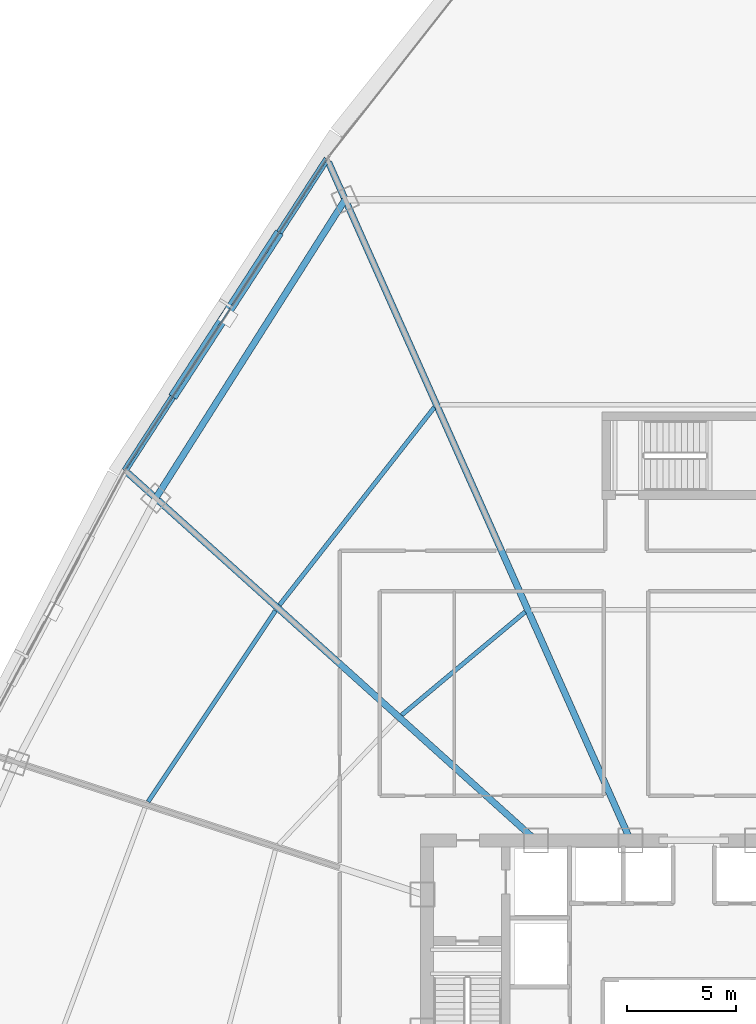
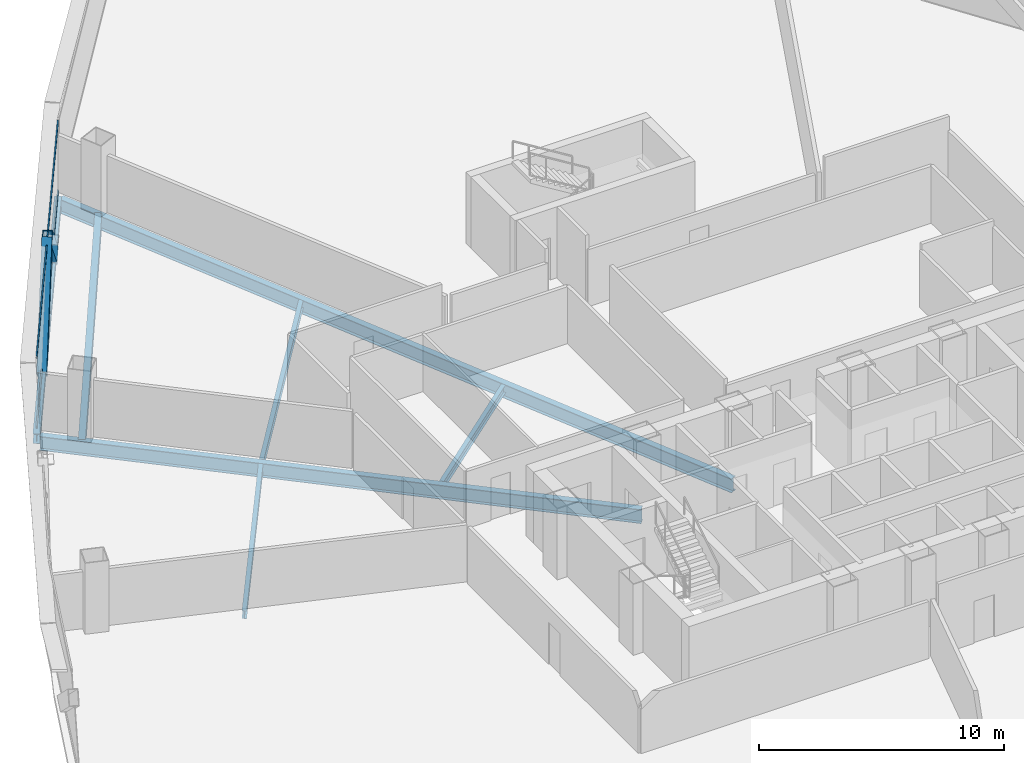
# One storey, part 15 of 39: 7 beams, 4 members, 1 element without a shape of its own.
"""IFC4 building model written with IfcOpenShell, lengths in metres."""

from ifc_helpers import new_model, si_unit, direction, frame, origin, origin_2d, place, context, subcontext, project, spatial, hollow_rectangle, i_section, extrude, source, transform, mapped, material, layer, layer_set, material_profile, profile_set, type_object, element, aggregate, save


model = new_model("IFC4")

# Units and contexts
model_context = context("Model", 3, precision=1e-05, world=origin(), true_north=direction((0.0, 1.0)))
body_context = subcontext(model_context, "Body", "Model", "MODEL_VIEW")
ifc_project = project(units=[si_unit("LENGTHUNIT", "METRE"), si_unit("AREAUNIT", "SQUARE_METRE"), si_unit("VOLUMEUNIT", "CUBIC_METRE"), si_unit("PLANEANGLEUNIT", "RADIAN"), si_unit("MASSUNIT", "GRAM", prefix="KILO"), si_unit("THERMODYNAMICTEMPERATUREUNIT", "KELVIN"), si_unit("POWERUNIT", "WATT")], contexts=[model_context])

# Site, building, storey
site_placement = place(None, origin())
site = spatial("IfcSite", under=ifc_project, at=site_placement, CompositionType="ELEMENT")
building_placement = place(site_placement, origin())
building = spatial("IfcBuilding", under=site, at=building_placement, Name="Yunzhuo Pagoda Commons", CompositionType="ELEMENT")
storey_placement = place(building_placement, frame((0.0, 0.0, 100.179931640625)))
storey = spatial("IfcBuildingStorey", under=building, at=storey_placement, Name="L25", CompositionType="ELEMENT", Elevation=100.179931640625)

# Beams
ifc_material_1 = material(Name="Structural steel Q355B", Category="steel")
ifc_material_profile_1 = material_profile(ifc_material_1, i_section(OverallWidth=0.300048828125, OverallDepth=0.699951171875, WebThickness=0.012939453125, FlangeThickness=0.02392578125, at=origin_2d()), Name="Structural steel Q355B")
ifc_profile_set_1 = profile_set([ifc_material_profile_1], Name="Structural steel Q355B")
beam_type_1 = type_object("IfcBeamType", Name="B-RG1 Beam HN 700x300x13x24", PredefinedType="BEAM", material=ifc_profile_set_1)
shared_shape_1 = source(origin(), body_context, "Body", "SweptSolid", [
    extrude(i_section(OverallWidth=0.300048828125, OverallDepth=0.699951171875, WebThickness=0.012939453125, FlangeThickness=0.02392578125, at=origin_2d()), origin(), (0.0, 0.0, 1.0), 16.16845703125),
])
beam_1_placement = place(storey_placement, frame((32.05859375, 69.505126953125, -0.60986328125), z_axis=(-0.535695673154, -0.844411123662, 0.0), x_axis=(0.844411123662, -0.535695673154, 0.0)))
element("IfcBeam", 1, at=beam_1_placement, inside=storey, type_object=beam_type_1, Name="L25 column-ring beam 9", PredefinedType="BEAM", context=body_context, shape_type="MappedRepresentation", body=[
    mapped(shared_shape_1, transform((0.0, 0.0, 0.0), scale=1.0)),
])
ifc_material_profile_2 = material_profile(ifc_material_1, i_section(OverallWidth=0.199951171875, OverallDepth=0.39990234375, WebThickness=0.008056640625, FlangeThickness=0.012939453125, at=origin_2d()), Name="Structural steel Q355B")
ifc_profile_set_2 = profile_set([ifc_material_profile_2], Name="Structural steel Q355B")
beam_type_2 = type_object("IfcBeamType", Name="B-JS1 Joist HN 400x200x8x13", PredefinedType="JOIST", material=ifc_profile_set_2)
shared_shape_2 = source(origin(), body_context, "Body", "SweptSolid", [
    extrude(i_section(OverallWidth=0.199951171875, OverallDepth=0.39990234375, WebThickness=0.008056640625, FlangeThickness=0.012939453125, at=origin_2d()), origin(), (0.0, 0.0, 1.0), 10.50537109375),
])
beam_2_placement = place(storey_placement, frame((28.871826171875, 50.711181640625, -0.4599609375), z_axis=(-0.554523204193, -0.832168261839, 0.0), x_axis=(0.832168261839, -0.554523204193, 0.0)))
element("IfcBeam", 2, at=beam_2_placement, inside=storey, type_object=beam_type_2, Name="L25 composite ring joist 2.10", PredefinedType="JOIST", context=body_context, shape_type="MappedRepresentation", body=[
    mapped(shared_shape_2, transform((0.0, 0.0, 0.0), scale=1.0)),
])
shared_shape_3 = source(origin(), body_context, "Body", "SweptSolid", [
    extrude(i_section(OverallWidth=0.199951171875, OverallDepth=0.39990234375, WebThickness=0.008056640625, FlangeThickness=0.012939453125, at=origin_2d()), origin(), (0.0, 0.0, 1.0), 7.35009765625),
])
beam_3_placement = place(storey_placement, frame((40.286865234375, 50.64794921875, -0.4599609375), z_axis=(-0.767561992249, -0.640974717173, 0.0), x_axis=(0.640974717173, -0.767561992249, 0.0)))
element("IfcBeam", 3, at=beam_3_placement, inside=storey, type_object=beam_type_2, Name="L25 composite ring joist 1.9", PredefinedType="JOIST", context=body_context, shape_type="MappedRepresentation", body=[
    mapped(shared_shape_3, transform((0.0, 0.0, 0.0), scale=1.0)),
])
shared_shape_4 = source(origin(), body_context, "Body", "SweptSolid", [
    extrude(i_section(OverallWidth=0.199951171875, OverallDepth=0.39990234375, WebThickness=0.008056640625, FlangeThickness=0.012939453125, at=origin_2d()), origin(), (0.0, 0.0, 1.0), 11.4755859375),
])
beam_4_placement = place(storey_placement, frame((36.135498046875, 60.002197265625, -0.4599609375), z_axis=(-0.616713174055, -0.787187945123, 0.0), x_axis=(0.787187945123, -0.616713174055, 0.0)))
element("IfcBeam", 4, at=beam_4_placement, inside=storey, type_object=beam_type_2, Name="L25 composite ring joist 2.9", PredefinedType="JOIST", context=body_context, shape_type="MappedRepresentation", body=[
    mapped(shared_shape_4, transform((0.0, 0.0, 0.0), scale=1.0)),
])
shared_shape_5 = source(origin(), body_context, "Body", "SweptSolid", [
    extrude(i_section(OverallWidth=0.300048828125, OverallDepth=0.699951171875, WebThickness=0.012939453125, FlangeThickness=0.02392578125, at=origin_2d()), origin(), (0.0, 0.0, 1.0), 25.1318359375),
])
beam_5_placement = place(storey_placement, frame((22.1044921875, 57.016357421875, -0.60986328125), z_axis=(0.743144868879, -0.669130558156, 0.0), x_axis=(0.669130558156, 0.743144868879, 0.0)))
element("IfcBeam", 5, at=beam_5_placement, inside=storey, type_object=beam_type_1, Name="L25 radial floor girder F3C2", PredefinedType="BEAM", context=body_context, shape_type="MappedRepresentation", body=[
    mapped(shared_shape_5, transform((0.0, 0.0, 0.0), scale=1.0)),
])
shared_shape_6 = source(origin(), body_context, "Body", "SweptSolid", [
    extrude(i_section(OverallWidth=0.300048828125, OverallDepth=0.699951171875, WebThickness=0.012939453125, FlangeThickness=0.02392578125, at=origin_2d()), origin(), (0.0, 0.0, 1.0), 33.961181640625),
])
beam_6_placement = place(storey_placement, frame((31.292724609375, 71.22509765625, -0.60986328125), z_axis=(0.406735346576, -0.91354603488, 0.0), x_axis=(0.91354603488, 0.406735346576, 0.0)))
element("IfcBeam", 6, at=beam_6_placement, inside=storey, type_object=beam_type_1, Name="L25 radial floor girder F3C1", PredefinedType="BEAM", context=body_context, shape_type="MappedRepresentation", body=[
    mapped(shared_shape_6, transform((0.0, 0.0, 0.0), scale=1.0)),
])
ifc_material_profile_3 = material_profile(ifc_material_1, i_section(OverallWidth=0.300048828125, OverallDepth=0.488037109375, WebThickness=0.010986328125, FlangeThickness=0.01806640625, at=origin_2d()), Name="Structural steel Q355B")
ifc_profile_set_3 = profile_set([ifc_material_profile_3], Name="Structural steel Q355B")
beam_type_3 = type_object("IfcBeamType", Name="B-SP1 Beam HM 488x300x11x18", PredefinedType="BEAM", material=ifc_profile_set_3)
shared_shape_7 = source(origin(), body_context, "Body", "SweptSolid", [
    extrude(i_section(OverallWidth=0.300048828125, OverallDepth=0.488037109375, WebThickness=0.010986328125, FlangeThickness=0.01806640625, at=origin_2d()), origin(), (0.0, 0.0, 1.0), 16.980712890625),
])
beam_7_placement = place(storey_placement, frame((31.229736328125, 71.366455078125, -0.50390625), z_axis=(-0.544174968166, -0.838971754007, 0.0), x_axis=(0.838971754007, -0.544174968166, 0.0)))
element("IfcBeam", 7, at=beam_7_placement, inside=storey, type_object=beam_type_3, Name="L25 facade edge spandrel beam F3.1", PredefinedType="BEAM", context=body_context, shape_type="MappedRepresentation", body=[
    mapped(shared_shape_7, transform((0.0, 0.0, 0.0), scale=1.0)),
])

# Members
ifc_material_2 = material(Name="Structural steel Q420B", Category="steel")
ifc_material_profile_4 = material_profile(ifc_material_2, hollow_rectangle(XDim=0.419921875, YDim=0.719970703125, WallThickness=0.028076171875, at=origin_2d()), Name="Structural steel Q420B")
ifc_profile_set_4 = profile_set([ifc_material_profile_4], Name="Structural steel Q420B")
member_type_1 = type_object("IfcMemberType", Name="M-DL1 Brace BOX 720x420x28", PredefinedType="BRACE", material=ifc_profile_set_4)
shared_shape_8 = source(origin(), body_context, "Body", "SweptSolid", [
    extrude(hollow_rectangle(XDim=0.419921875, YDim=0.719970703125, WallThickness=0.028076171875, at=origin_2d()), origin(), (0.0, 0.0, 1.0), 5.697509765625),
])
member_1_placement = place(storey_placement, frame((28.919677734375, 67.804931640625, -0.260009765625), z_axis=(-0.405453235797, -0.625105876538, 0.666971001393), x_axis=(0.838974060503, -0.544171412152, 0.0)))
element("IfcMember", 8, at=member_1_placement, inside=storey, type_object=member_type_1, Name="L25 facade diamond brace F3.1L", PredefinedType="BRACE", context=body_context, shape_type="MappedRepresentation", body=[
    mapped(shared_shape_8, transform((0.0, 0.0, 0.0), scale=1.0)),
])
shared_shape_9 = source(origin(), body_context, "Body", "SweptSolid", [
    extrude(hollow_rectangle(XDim=0.419921875, YDim=0.719970703125, WallThickness=0.028076171875, at=origin_2d()), origin(), (0.0, 0.0, 1.0), 5.69775390625),
])
member_2_placement = place(storey_placement, frame((24.29931640625, 60.681640625, -0.260009765625), z_axis=(0.405478180153, 0.625121121236, 0.666941548567), x_axis=(-0.838964834979, 0.544185635301, 0.0)))
element("IfcMember", 9, at=member_2_placement, inside=storey, type_object=member_type_1, Name="L25 facade diamond brace F3.1R", PredefinedType="BRACE", context=body_context, shape_type="MappedRepresentation", body=[
    mapped(shared_shape_9, transform((0.0, 0.0, 0.0), scale=1.0)),
])

# Curtain wall, members
ifc_material_3 = material(Name="Anodized aluminium 6063-T6", Category="aluminium")
ifc_layer = layer(ifc_material_3, 0.1650390625)
ifc_layer_set = layer_set([ifc_layer], Name="Anodized aluminium 6063-T6")
curtain_wall_type = type_object("IfcCurtainWallType", Name="CW-LOW Low-Zone Ribbon Curtain Wall", PredefinedType="NOTDEFINED", material=ifc_layer_set)
curtain_wall_placement = place(storey_placement, origin())
curtain_wall = element("IfcCurtainWall", 10, at=curtain_wall_placement, inside=storey, type_object=curtain_wall_type, Name="L25 curtain wall CW-L25-F3B2", PredefinedType="NOTDEFINED")
ifc_material_profile_5 = material_profile(ifc_material_3, hollow_rectangle(XDim=0.06005859375, YDim=0.139892578125, WallThickness=0.00341796875, at=origin_2d()), Name="Anodized aluminium 6063-T6")
ifc_profile_set_5 = profile_set([ifc_material_profile_5], Name="Anodized aluminium 6063-T6")
member_type_2 = type_object("IfcMemberType", Name="CW-LOW-T Transom RHS 140x60x3.5", PredefinedType="USERDEFINED", material=ifc_profile_set_5)
shared_shape_10 = source(origin(), body_context, "Body", "SweptSolid", [
    extrude(hollow_rectangle(XDim=0.06005859375, YDim=0.139892578125, WallThickness=0.00341796875, at=origin_2d()), origin(), (0.0, 0.0, 1.0), 16.8505859375),
])
member_3_placement = place(storey_placement, frame((31.1943359375, 71.31201171875, 0.030029296875), z_axis=(-0.544174292348, -0.838972192356, 0.0), x_axis=(0.838972192356, -0.544174292348, 0.0)))
member_3 = element("IfcMember", 11, at=member_3_placement, type_object=member_type_2, Name="CW transom 1.1", ObjectType="TRANSOM", PredefinedType="USERDEFINED", context=body_context, shape_type="MappedRepresentation", body=[
    mapped(shared_shape_10, transform((0.0, 0.0, 0.0), scale=1.0)),
])
member_4_placement = place(storey_placement, frame((31.1943359375, 71.31201171875, 3.510009765625), z_axis=(-0.544174292348, -0.838972192356, 0.0), x_axis=(0.838972192356, -0.544174292348, 0.0)))
member_4 = element("IfcMember", 12, at=member_4_placement, type_object=member_type_2, Name="CW transom 1.2", ObjectType="TRANSOM", PredefinedType="USERDEFINED", context=body_context, shape_type="MappedRepresentation", body=[
    mapped(shared_shape_10, transform((0.0, 0.0, 0.0), scale=1.0)),
])
aggregate(curtain_wall, [member_3, member_4])

save(model, "model.ifc")
